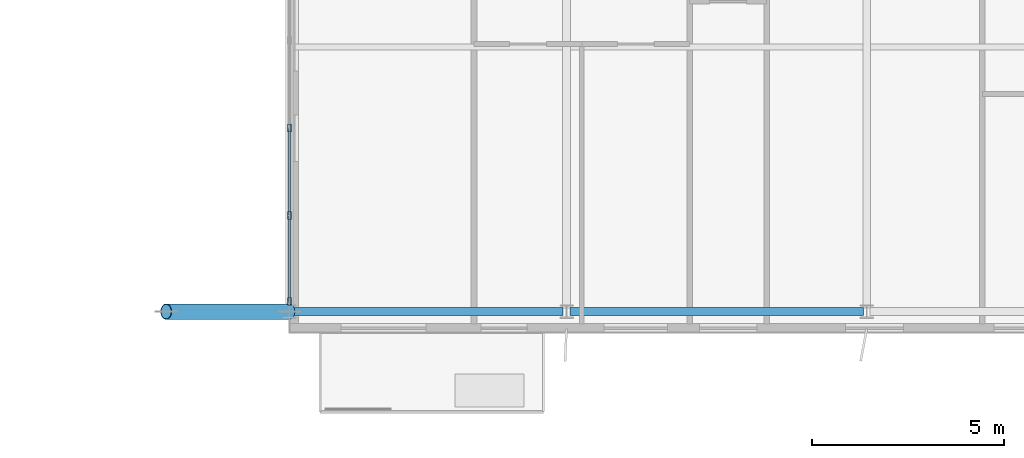
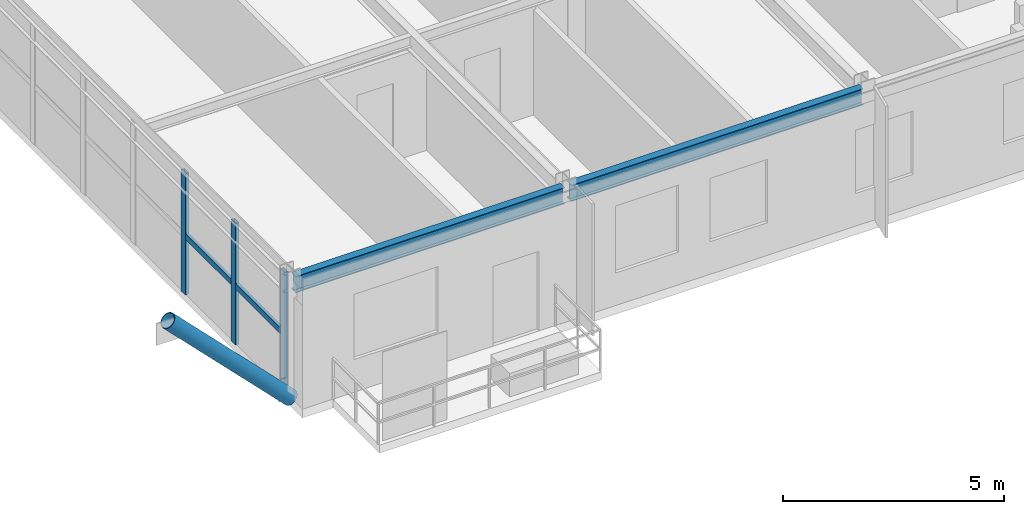
# One storey, part 10 of 34: 6 members, 2 beams, 1 element without a shape of its own.
"""IFC4 building model written with IfcOpenShell, lengths in metres."""

from ifc_helpers import new_model, si_unit, direction, frame, origin, origin_2d, place, context, subcontext, project, spatial, hollow_rectangle, hollow_circle, i_section, extrude, source, transform, mapped, material, material_profile, profile_set, type_object, element, aggregate, save


model = new_model("IFC4")

# Units and contexts
model_context = context("Model", 3, precision=1e-05, world=origin(), true_north=direction((0.0, 1.0)))
body_context = subcontext(model_context, "Body", "Model", "MODEL_VIEW")
ifc_project = project(units=[si_unit("LENGTHUNIT", "METRE"), si_unit("AREAUNIT", "SQUARE_METRE"), si_unit("VOLUMEUNIT", "CUBIC_METRE"), si_unit("PLANEANGLEUNIT", "RADIAN"), si_unit("MASSUNIT", "GRAM", prefix="KILO")], contexts=[model_context])

# Site, building, storey
site_placement = place(None, origin())
site = spatial("IfcSite", under=ifc_project, at=site_placement, CompositionType="ELEMENT")
building_placement = place(site_placement, origin())
building = spatial("IfcBuilding", under=site, at=building_placement, Name="Trelvane Seafront Commons", CompositionType="ELEMENT")
storey_placement = place(building_placement, frame((0.0, 0.0, 197.699951171875)))
storey = spatial("IfcBuildingStorey", under=building, at=storey_placement, Name="L51", CompositionType="ELEMENT", Elevation=197.699951171875)

# Beams
ifc_material_1 = material(Name="Steel SM355 (S355)", Category="steel")
ifc_material_profile_1 = material_profile(ifc_material_1, i_section(OverallWidth=0.199951171875, OverallDepth=0.449951171875, WebThickness=0.009033203125, FlangeThickness=0.013916015625, at=origin_2d()), Name="H-450x200x9x14")
ifc_profile_set_1 = profile_set([ifc_material_profile_1], Name="Steel SM355 (S355)")
beam_type = type_object("IfcBeamType", Name="STR-SPD-H450", PredefinedType="SPANDREL", material=ifc_profile_set_1)
shared_shape_1 = source(origin(), body_context, "Body", "SweptSolid", [
    extrude(i_section(OverallWidth=0.199951171875, OverallDepth=0.449951171875, WebThickness=0.009033203125, FlangeThickness=0.013916015625, at=origin_2d()), origin(), (0.0, 0.0, 1.0), 7.625),
])
beam_1_placement = place(storey_placement, frame((51.08740234375, 3.949951171875, 3.135009765625), z_axis=(1.0, 0.0, 0.0), x_axis=(0.0, 1.0, 0.0)))
element("IfcBeam", 1, at=beam_1_placement, inside=storey, type_object=beam_type, Name="L51 Primary Girder G-06", PredefinedType="SPANDREL", context=body_context, shape_type="MappedRepresentation", body=[
    mapped(shared_shape_1, transform((0.0, 0.0, 0.0), x_axis=(1.0, 0.0, 0.0), y_axis=(0.0, 1.0, 0.0), z_axis=(0.0, 0.0, 1.0), scale=1.0)),
])
shared_shape_2 = source(origin(), body_context, "Body", "SweptSolid", [
    extrude(i_section(OverallWidth=0.199951171875, OverallDepth=0.449951171875, WebThickness=0.009033203125, FlangeThickness=0.013916015625, at=origin_2d()), origin(), (0.0, 0.0, 1.0), 7.025146484375),
])
beam_2_placement = place(storey_placement, frame((43.887451171875, 3.949951171875, 3.135009765625), z_axis=(1.0, 0.0, 0.0), x_axis=(0.0, 1.0, 0.0)))
element("IfcBeam", 2, at=beam_2_placement, inside=storey, type_object=beam_type, Name="L51 Primary Girder G-05", PredefinedType="SPANDREL", context=body_context, shape_type="MappedRepresentation", body=[
    mapped(shared_shape_2, transform((0.0, 0.0, 0.0), x_axis=(1.0, 0.0, 0.0), y_axis=(0.0, 1.0, 0.0), z_axis=(0.0, 0.0, 1.0), scale=1.0)),
])

# Member
ifc_material_profile_2 = material_profile(ifc_material_1, hollow_circle(Radius=0.203125, WallThickness=0.01611328125, at=origin_2d()), Name="CHS-406.4x16")
ifc_profile_set_2 = profile_set([ifc_material_profile_2], Name="Steel SM355 (S355)")
member_type_1 = type_object("IfcMemberType", Name="STR-STR-CHS406", PredefinedType="STRUT", material=ifc_profile_set_2)
shared_shape_3 = source(origin(), body_context, "Body", "SweptSolid", [
    extrude(hollow_circle(Radius=0.203125, WallThickness=0.01611328125, at=origin_2d()), origin(), (0.0, 0.0, 1.0), 4.5537109375),
])
member_1_placement = place(storey_placement, frame((43.800048828125, 3.949951171875, 0.0), z_axis=(-0.702696903382, 0.0, 0.711489326679), x_axis=(0.0, -1.0, 0.0)))
element("IfcMember", 3, at=member_1_placement, inside=storey, type_object=member_type_1, Name="L51 Void-Portal V-Frame Strut VS-SE", PredefinedType="STRUT", context=body_context, shape_type="MappedRepresentation", body=[
    mapped(shared_shape_3, transform((0.0, 0.0, 0.0), x_axis=(1.0, 0.0, 0.0), y_axis=(0.0, 1.0, 0.0), z_axis=(0.0, 0.0, 1.0), scale=1.0)),
])

# Curtain wall, members
ifc_material_2 = material(Name="Anodised pale-silver aluminium", Category="aluminium")
curtain_wall_type = type_object("IfcCurtainWallType", Name="ARCH-CW3-PORTAL", PredefinedType="NOTDEFINED", material=ifc_material_2)
curtain_wall_placement = place(storey_placement, origin())
curtain_wall = element("IfcCurtainWall", 4, at=curtain_wall_placement, inside=storey, type_object=curtain_wall_type, Name="CW-L51-VP-0089", PredefinedType="NOTDEFINED")
ifc_material_profile_3 = material_profile(ifc_material_2, hollow_rectangle(XDim=0.080078125, YDim=0.159912109375, WallThickness=0.00439453125, at=origin_2d()), Name="TRAN-80x160x4.5")
ifc_profile_set_3 = profile_set([ifc_material_profile_3], Name="Anodised pale-silver aluminium")
member_type_2 = type_object("IfcMemberType", Name="ARCH-CW-TRAN-160", PredefinedType="USERDEFINED", material=ifc_profile_set_3)
shared_shape_4 = source(origin(), body_context, "Body", "SweptSolid", [
    extrude(hollow_rectangle(XDim=0.080078125, YDim=0.159912109375, WallThickness=0.00439453125, at=origin_2d()), origin(), (0.0, 0.0, 1.0), 2.246826171875),
])
member_2_placement = place(storey_placement, frame((43.800048828125, 8.70458984375, 1.613037109375), z_axis=(0.0, -1.0, 0.0), x_axis=(1.0, 0.0, 0.0)))
member_2 = element("IfcMember", 5, at=member_2_placement, type_object=member_type_2, Name="CW-L51-VP-0089-T04", ObjectType="TRANSOM", PredefinedType="USERDEFINED", context=body_context, shape_type="MappedRepresentation", body=[
    mapped(shared_shape_4, transform((0.0, 0.0, 0.0), x_axis=(1.0, 0.0, 0.0), y_axis=(0.0, 1.0, 0.0), z_axis=(0.0, 0.0, 1.0), scale=1.0)),
])
member_3_placement = place(storey_placement, frame((43.800048828125, 6.433837890625, 1.613037109375), z_axis=(0.0, -1.0, 0.0), x_axis=(1.0, 0.0, 0.0)))
member_3 = element("IfcMember", 6, at=member_3_placement, type_object=member_type_2, Name="CW-L51-VP-0089-T05", ObjectType="TRANSOM", PredefinedType="USERDEFINED", context=body_context, shape_type="MappedRepresentation", body=[
    mapped(shared_shape_4, transform((0.0, 0.0, 0.0), x_axis=(1.0, 0.0, 0.0), y_axis=(0.0, 1.0, 0.0), z_axis=(0.0, 0.0, 1.0), scale=1.0)),
])
ifc_material_profile_4 = material_profile(ifc_material_2, hollow_rectangle(XDim=0.090087890625, YDim=0.199951171875, WallThickness=0.0048828125, at=origin_2d()), Name="MULL-90x200x5")
ifc_profile_set_4 = profile_set([ifc_material_profile_4], Name="Anodised pale-silver aluminium")
member_type_3 = type_object("IfcMemberType", Name="ARCH-CW-MULL-200", PredefinedType="MULLION", material=ifc_profile_set_4)
shared_shape_5 = source(origin(), body_context, "Body", "SweptSolid", [
    extrude(hollow_rectangle(XDim=0.090087890625, YDim=0.199951171875, WallThickness=0.0048828125, at=origin_2d()), origin(), (0.0, 0.0, 1.0), 3.360107421875),
])
member_4_placement = place(storey_placement, frame((43.800048828125, 8.716796875, 0.0), z_axis=(0.0, 0.0, 1.0), x_axis=(1.0, 0.0, 0.0)))
member_4 = element("IfcMember", 7, at=member_4_placement, type_object=member_type_3, Name="CW-L51-VP-0089-M04", PredefinedType="MULLION", context=body_context, shape_type="MappedRepresentation", body=[
    mapped(shared_shape_5, transform((0.0, 0.0, 0.0), x_axis=(1.0, 0.0, 0.0), y_axis=(0.0, 1.0, 0.0), z_axis=(0.0, 0.0, 1.0), scale=1.0)),
])
member_5_placement = place(storey_placement, frame((43.800048828125, 6.44580078125, 0.0), z_axis=(0.0, 0.0, 1.0), x_axis=(1.0, 0.0, 0.0)))
member_5 = element("IfcMember", 8, at=member_5_placement, type_object=member_type_3, Name="CW-L51-VP-0089-M05", PredefinedType="MULLION", context=body_context, shape_type="MappedRepresentation", body=[
    mapped(shared_shape_5, transform((0.0, 0.0, 0.0), x_axis=(1.0, 0.0, 0.0), y_axis=(0.0, 1.0, 0.0), z_axis=(0.0, 0.0, 1.0), scale=1.0)),
])
member_6_placement = place(storey_placement, frame((43.800048828125, 4.215087890625, 0.0), z_axis=(0.0, 0.0, 1.0), x_axis=(1.0, 0.0, 0.0)))
member_6 = element("IfcMember", 9, at=member_6_placement, type_object=member_type_3, Name="CW-L51-VP-0089-M06", PredefinedType="MULLION", context=body_context, shape_type="MappedRepresentation", body=[
    mapped(shared_shape_5, transform((0.0, 0.0, 0.0), x_axis=(1.0, 0.0, 0.0), y_axis=(0.0, 1.0, 0.0), z_axis=(0.0, 0.0, 1.0), scale=1.0)),
])
aggregate(curtain_wall, [member_4, member_5, member_6, member_2, member_3])

save(model, "model.ifc")
